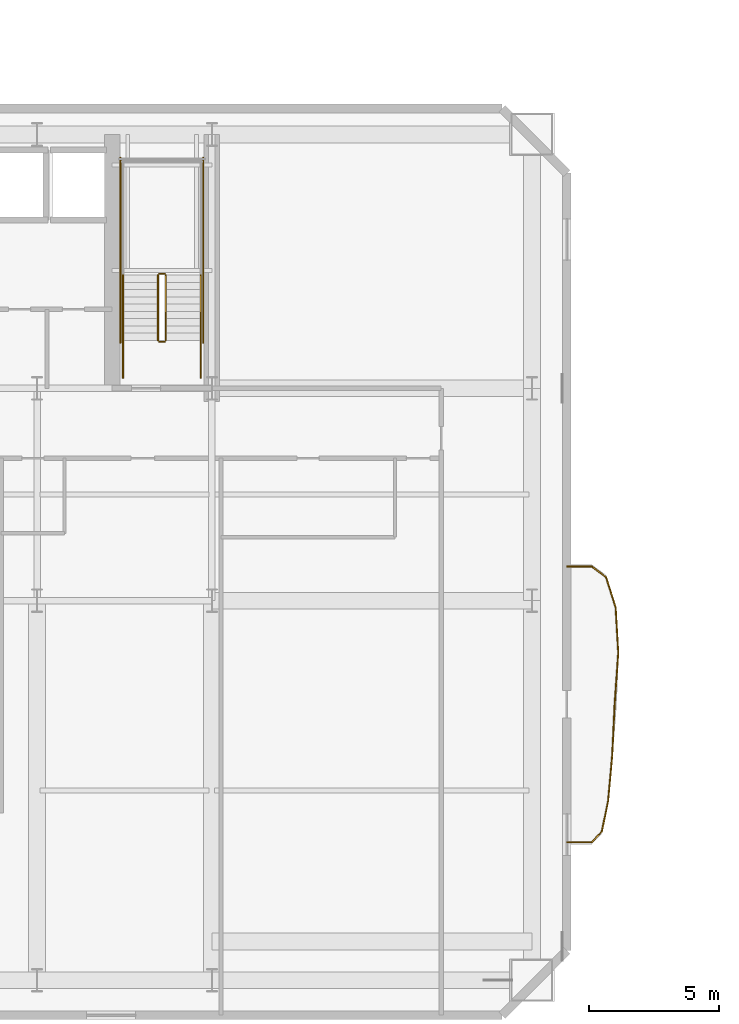
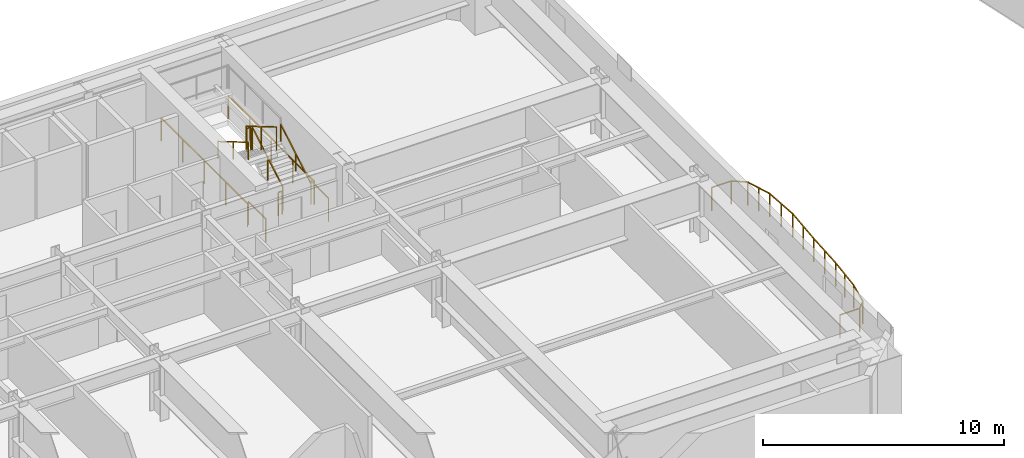
# One storey, part 14 of 18: 20 railings.
"""IFC4 building model written with IfcOpenShell, lengths in metres."""

from ifc_helpers import new_model, si_unit, direction, frame, origin, origin_2d, place, context, subcontext, project, spatial, rectangle, extrude, material, type_object, element, save


model = new_model("IFC4")

# Units and contexts
model_context = context("Model", 3, precision=1e-05, world=origin(), true_north=direction((0.0, 1.0)))
body_context = subcontext(model_context, "Body", "Model", "MODEL_VIEW")
ifc_project = project(units=[si_unit("LENGTHUNIT", "METRE"), si_unit("AREAUNIT", "SQUARE_METRE"), si_unit("VOLUMEUNIT", "CUBIC_METRE"), si_unit("PLANEANGLEUNIT", "RADIAN"), si_unit("MASSUNIT", "GRAM", prefix="KILO")], contexts=[model_context])

# Site, building, storey
site_placement = place(None, origin())
site = spatial("IfcSite", under=ifc_project, at=site_placement, CompositionType="ELEMENT")
building_placement = place(site_placement, origin())
building = spatial("IfcBuilding", under=site, at=building_placement, Name="Haevon Station Towers", CompositionType="ELEMENT")
storey_placement = place(building_placement, frame((0.0, 0.0, 47.10009765625)))
storey = spatial("IfcBuildingStorey", under=building, at=storey_placement, Name="L11", CompositionType="ELEMENT", Elevation=47.10009765625)

# Railings
ifc_material = material(Name="Steel S355", Category="steel")
railing_type_1 = type_object("IfcRailingType", Name="GRD-EXT1200", PredefinedType="GUARDRAIL", material=ifc_material)
railing_1_placement = place(storey_placement, frame((64.723388671875, 20.677978515625, 0.0)))
element("IfcRailing", 1, at=railing_1_placement, inside=storey, type_object=railing_type_1, Name="L11 Perimeter Guardrail 1", PredefinedType="GUARDRAIL", context=body_context, shape_type="SweptSolid", body=[
    extrude(rectangle(XDim=0.048095703125, YDim=0.048095703125, at=origin_2d()), frame((0.0, 0.0, 1.17578125), z_axis=(0.999997857851, 0.002069853263, 0.0), x_axis=(-0.002069853263, 0.999997857851, 0.0)), (0.0, 0.0, 1.0), 0.943603515625),
    extrude(rectangle(XDim=0.0419921875, YDim=0.0419921875, at=origin_2d()), origin(), (0.0, 0.0, 1.0), 1.15185546875),
    extrude(rectangle(XDim=0.0419921875, YDim=0.0419921875, at=origin_2d()), frame((0.943603515625, 0.001953125, 0.0)), (0.0, 0.0, 1.0), 1.15185546875),
])
railing_2_placement = place(storey_placement, frame((65.6669921875, 20.679931640625, 0.0)))
element("IfcRailing", 2, at=railing_2_placement, inside=storey, type_object=railing_type_1, Name="L11 Perimeter Guardrail 2", PredefinedType="GUARDRAIL", context=body_context, shape_type="SweptSolid", body=[
    extrude(rectangle(XDim=0.048095703125, YDim=0.048095703125, at=origin_2d()), frame((0.0, 0.0, 1.17578125), z_axis=(0.683306289544, 0.730131847456, 0.0), x_axis=(-0.730131847456, 0.683306289544, 0.0)), (0.0, 0.0, 1.0), 0.56298828125),
    extrude(rectangle(XDim=0.0419921875, YDim=0.0419921875, at=origin_2d()), origin(), (0.0, 0.0, 1.0), 1.15185546875),
    extrude(rectangle(XDim=0.0419921875, YDim=0.0419921875, at=origin_2d()), frame((0.384765625, 0.4111328125, 0.0)), (0.0, 0.0, 1.0), 1.15185546875),
])
railing_3_placement = place(storey_placement, frame((66.0517578125, 21.091064453125, 0.0)))
element("IfcRailing", 3, at=railing_3_placement, inside=storey, type_object=railing_type_1, Name="L11 Perimeter Guardrail 3", PredefinedType="GUARDRAIL", context=body_context, shape_type="SweptSolid", body=[
    extrude(rectangle(XDim=0.048095703125, YDim=0.048095703125, at=origin_2d()), frame((0.0, 0.0, 1.17578125), z_axis=(0.201497232752, 0.979489083754, 0.0), x_axis=(-0.979489083754, 0.201497232752, 0.0)), (0.0, 0.0, 1.0), 1.194580078125),
    extrude(rectangle(XDim=0.0419921875, YDim=0.0419921875, at=origin_2d()), origin(), (0.0, 0.0, 1.0), 1.15185546875),
    extrude(rectangle(XDim=0.0419921875, YDim=0.0419921875, at=origin_2d()), frame((0.24072265625, 1.170166015625, 0.0)), (0.0, 0.0, 1.0), 1.15185546875),
])
railing_4_placement = place(storey_placement, frame((66.29248046875, 22.26123046875, 0.0)))
element("IfcRailing", 4, at=railing_4_placement, inside=storey, type_object=railing_type_1, Name="L11 Perimeter Guardrail 4", PredefinedType="GUARDRAIL", context=body_context, shape_type="SweptSolid", body=[
    extrude(rectangle(XDim=0.048095703125, YDim=0.048095703125, at=origin_2d()), frame((0.0, 0.0, 1.17578125), z_axis=(0.090310252801, 0.995913680114, 0.0), x_axis=(-0.995913680114, 0.090310252801, 0.0)), (0.0, 0.0, 1.0), 1.757080078125),
    extrude(rectangle(XDim=0.0419921875, YDim=0.0419921875, at=origin_2d()), origin(), (0.0, 0.0, 1.0), 1.15185546875),
    extrude(rectangle(XDim=0.0419921875, YDim=0.0419921875, at=origin_2d()), frame((0.079345703125, 0.875, 0.0)), (0.0, 0.0, 1.0), 1.15185546875),
    extrude(rectangle(XDim=0.0419921875, YDim=0.0419921875, at=origin_2d()), frame((0.15869140625, 1.75, 0.0)), (0.0, 0.0, 1.0), 1.15185546875),
])
railing_5_placement = place(storey_placement, frame((66.451171875, 24.01123046875, 0.0)))
element("IfcRailing", 5, at=railing_5_placement, inside=storey, type_object=railing_type_1, Name="L11 Perimeter Guardrail 5", PredefinedType="GUARDRAIL", context=body_context, shape_type="SweptSolid", body=[
    extrude(rectangle(XDim=0.048095703125, YDim=0.048095703125, at=origin_2d()), frame((0.0, 0.0, 1.17578125), z_axis=(0.047454457012, 0.998873402644, 0.0), x_axis=(-0.998873402644, 0.047454457012, 0.0)), (0.0, 0.0, 1.0), 1.990966796875),
    extrude(rectangle(XDim=0.0419921875, YDim=0.0419921875, at=origin_2d()), origin(), (0.0, 0.0, 1.0), 1.15185546875),
    extrude(rectangle(XDim=0.0419921875, YDim=0.0419921875, at=origin_2d()), frame((0.04736328125, 0.994384765625, 0.0)), (0.0, 0.0, 1.0), 1.15185546875),
    extrude(rectangle(XDim=0.0419921875, YDim=0.0419921875, at=origin_2d()), frame((0.094482421875, 1.98876953125, 0.0)), (0.0, 0.0, 1.0), 1.15185546875),
])
railing_6_placement = place(storey_placement, frame((66.545654296875, 26.0, 0.0)))
element("IfcRailing", 6, at=railing_6_placement, inside=storey, type_object=railing_type_1, Name="L11 Perimeter Guardrail 6", PredefinedType="GUARDRAIL", context=body_context, shape_type="SweptSolid", body=[
    extrude(rectangle(XDim=0.048095703125, YDim=0.048095703125, at=origin_2d()), frame((0.0, 0.0, 1.17578125), z_axis=(0.069960576388, 0.99754975703, 0.0), x_axis=(-0.99754975703, 0.069960576388, 0.0)), (0.0, 0.0, 1.0), 1.99609375),
    extrude(rectangle(XDim=0.0419921875, YDim=0.0419921875, at=origin_2d()), origin(), (0.0, 0.0, 1.0), 1.15185546875),
    extrude(rectangle(XDim=0.0419921875, YDim=0.0419921875, at=origin_2d()), frame((0.06982421875, 0.99560546875, 0.0)), (0.0, 0.0, 1.0), 1.15185546875),
    extrude(rectangle(XDim=0.0419921875, YDim=0.0419921875, at=origin_2d()), frame((0.1396484375, 1.9912109375, 0.0)), (0.0, 0.0, 1.0), 1.15185546875),
])
railing_7_placement = place(storey_placement, frame((66.685302734375, 27.9912109375, 0.0)))
element("IfcRailing", 7, at=railing_7_placement, inside=storey, type_object=railing_type_1, Name="L11 Perimeter Guardrail 7", PredefinedType="GUARDRAIL", context=body_context, shape_type="SweptSolid", body=[
    extrude(rectangle(XDim=0.048095703125, YDim=0.048095703125, at=origin_2d()), frame((0.0, 0.0, 1.17578125), z_axis=(-0.057716779897, 0.99833299721, 0.0), x_axis=(-0.99833299721, -0.057716779897, 0.0)), (0.0, 0.0, 1.0), 1.751220703125),
    extrude(rectangle(XDim=0.0419921875, YDim=0.0419921875, at=origin_2d()), origin(), (0.0, 0.0, 1.0), 1.15185546875),
    extrude(rectangle(XDim=0.0419921875, YDim=0.0419921875, at=origin_2d()), frame((-0.050537109375, 0.8740234375, 0.0)), (0.0, 0.0, 1.0), 1.15185546875),
    extrude(rectangle(XDim=0.0419921875, YDim=0.0419921875, at=origin_2d()), frame((-0.10107421875, 1.748291015625, 0.0)), (0.0, 0.0, 1.0), 1.15185546875),
])
railing_8_placement = place(storey_placement, frame((66.584228515625, 29.739501953125, 0.0)))
element("IfcRailing", 8, at=railing_8_placement, inside=storey, type_object=railing_type_1, Name="L11 Perimeter Guardrail 8", PredefinedType="GUARDRAIL", context=body_context, shape_type="SweptSolid", body=[
    extrude(rectangle(XDim=0.048095703125, YDim=0.048095703125, at=origin_2d()), frame((0.0, 0.0, 1.17578125), z_axis=(-0.303187234273, 0.952931005359, 0.0), x_axis=(-0.952931005359, -0.303187234273, 0.0)), (0.0, 0.0, 1.0), 1.227294921875),
    extrude(rectangle(XDim=0.0419921875, YDim=0.0419921875, at=origin_2d()), origin(), (0.0, 0.0, 1.0), 1.15185546875),
    extrude(rectangle(XDim=0.0419921875, YDim=0.0419921875, at=origin_2d()), frame((-0.18603515625, 0.584716796875, 0.0)), (0.0, 0.0, 1.0), 1.15185546875),
    extrude(rectangle(XDim=0.0419921875, YDim=0.0419921875, at=origin_2d()), frame((-0.3720703125, 1.16943359375, 0.0)), (0.0, 0.0, 1.0), 1.15185546875),
])
railing_9_placement = place(storey_placement, frame((66.212158203125, 30.908935546875, 0.0)))
element("IfcRailing", 9, at=railing_9_placement, inside=storey, type_object=railing_type_1, Name="L11 Perimeter Guardrail 9", PredefinedType="GUARDRAIL", context=body_context, shape_type="SweptSolid", body=[
    extrude(rectangle(XDim=0.048095703125, YDim=0.048095703125, at=origin_2d()), frame((0.0, 0.0, 1.17578125), z_axis=(-0.798409676693, 0.602114597201, 0.0), x_axis=(-0.602114597201, -0.798409676693, 0.0)), (0.0, 0.0, 1.0), 0.682861328125),
    extrude(rectangle(XDim=0.0419921875, YDim=0.0419921875, at=origin_2d()), origin(), (0.0, 0.0, 1.0), 1.15185546875),
    extrude(rectangle(XDim=0.0419921875, YDim=0.0419921875, at=origin_2d()), frame((-0.545166015625, 0.4111328125, 0.0)), (0.0, 0.0, 1.0), 1.15185546875),
])
railing_10_placement = place(storey_placement, frame((65.6669921875, 31.320068359375, 0.0)))
element("IfcRailing", 10, at=railing_10_placement, inside=storey, type_object=railing_type_1, Name="L11 Perimeter Guardrail 10", PredefinedType="GUARDRAIL", context=body_context, shape_type="SweptSolid", body=[
    extrude(rectangle(XDim=0.048095703125, YDim=0.048095703125, at=origin_2d()), frame((0.0, 0.0, 1.17578125), z_axis=(-0.999997857851, 0.002069853263, 0.0), x_axis=(-0.002069853263, -0.999997857851, 0.0)), (0.0, 0.0, 1.0), 0.943603515625),
    extrude(rectangle(XDim=0.0419921875, YDim=0.0419921875, at=origin_2d()), origin(), (0.0, 0.0, 1.0), 1.15185546875),
    extrude(rectangle(XDim=0.0419921875, YDim=0.0419921875, at=origin_2d()), frame((-0.943603515625, 0.001953125, 0.0)), (0.0, 0.0, 1.0), 1.15185546875),
])
railing_type_2 = type_object("IfcRailingType", Name="GRD-STR1200", PredefinedType="GUARDRAIL", material=ifc_material)
railing_11_placement = place(storey_placement, frame((49.219970703125, 40.050048828125, 0.164794921875)))
element("IfcRailing", 11, at=railing_11_placement, inside=storey, type_object=railing_type_2, Name="L11 ST2 Stair Guard 1", PredefinedType="GUARDRAIL", context=body_context, shape_type="SweptSolid", body=[
    extrude(rectangle(XDim=0.048095703125, YDim=0.048095703125, at=origin_2d()), frame((0.0, 0.0, 1.17578125), z_axis=(0.0, 0.86152411907, 0.507716645641), x_axis=(-1.0, 0.0, 0.0)), (0.0, 0.0, 1.0), 2.925048828125),
    extrude(rectangle(XDim=0.0419921875, YDim=0.0419921875, at=origin_2d()), origin(), (0.0, 0.0, 1.0), 1.15185546875),
    extrude(rectangle(XDim=0.0419921875, YDim=0.0419921875, at=origin_2d()), frame((0.0, 1.260009765625, 0.74267578125)), (0.0, 0.0, 1.0), 1.15185546875),
    extrude(rectangle(XDim=0.0419921875, YDim=0.0419921875, at=origin_2d()), frame((0.0, 2.52001953125, 1.485107421875)), (0.0, 0.0, 1.0), 1.15185546875),
])
railing_12_placement = place(storey_placement, frame((49.169921875, 42.6201171875, 1.64990234375)))
element("IfcRailing", 12, at=railing_12_placement, inside=storey, type_object=railing_type_2, Name="L11 ST2 Stair Guard 2", PredefinedType="GUARDRAIL", context=body_context, shape_type="SweptSolid", body=[
    extrude(rectangle(XDim=0.048095703125, YDim=0.048095703125, at=origin_2d()), frame((0.0, 0.0, 1.17578125), z_axis=(-1.0, 0.0, 0.0), x_axis=(0.0, -1.0, 0.0)), (0.0, 0.0, 1.0), 0.199951171875),
    extrude(rectangle(XDim=0.0419921875, YDim=0.0419921875, at=origin_2d()), origin(), (0.0, 0.0, 1.0), 1.15185546875),
    extrude(rectangle(XDim=0.0419921875, YDim=0.0419921875, at=origin_2d()), frame((-0.199951171875, 0.0, 0.0)), (0.0, 0.0, 1.0), 1.15185546875),
])
railing_13_placement = place(storey_placement, frame((48.919921875, 42.570068359375, 1.81494140625)))
element("IfcRailing", 13, at=railing_13_placement, inside=storey, type_object=railing_type_2, Name="L11 ST2 Stair Guard 6", PredefinedType="GUARDRAIL", context=body_context, shape_type="SweptSolid", body=[
    extrude(rectangle(XDim=0.048095703125, YDim=0.048095703125, at=origin_2d()), frame((0.0, 0.0, 1.17578125), z_axis=(0.0, -0.861560626758, 0.507654692109), x_axis=(1.0, 0.0, 0.0)), (0.0, 0.0, 1.0), 2.925048828125),
    extrude(rectangle(XDim=0.0419921875, YDim=0.0419921875, at=origin_2d()), origin(), (0.0, 0.0, 1.0), 1.15185546875),
    extrude(rectangle(XDim=0.0419921875, YDim=0.0419921875, at=origin_2d()), frame((0.0, -1.260009765625, 0.742431640625)), (0.0, 0.0, 1.0), 1.15185546875),
    extrude(rectangle(XDim=0.0419921875, YDim=0.0419921875, at=origin_2d()), frame((0.0, -2.52001953125, 1.48486328125)), (0.0, 0.0, 1.0), 1.15185546875),
])
railing_14_placement = place(storey_placement, frame((49.169921875, 40.0, 0.0)))
element("IfcRailing", 14, at=railing_14_placement, inside=storey, type_object=railing_type_2, Name="L11 ST2 Stair Guard 7", PredefinedType="GUARDRAIL", context=body_context, shape_type="SweptSolid", body=[
    extrude(rectangle(XDim=0.048095703125, YDim=0.048095703125, at=origin_2d()), frame((0.0, 0.0, 1.17578125), z_axis=(-1.0, 0.0, 0.0), x_axis=(0.0, -1.0, 0.0)), (0.0, 0.0, 1.0), 0.199951171875),
    extrude(rectangle(XDim=0.0419921875, YDim=0.0419921875, at=origin_2d()), origin(), (0.0, 0.0, 1.0), 1.15185546875),
    extrude(rectangle(XDim=0.0419921875, YDim=0.0419921875, at=origin_2d()), frame((-0.199951171875, 0.0, 0.0)), (0.0, 0.0, 1.0), 1.15185546875),
])
for number, where, name in (
    (15, (50.570068359375, 38.60009765625, 0.0), "L11 ST2 Stair Guard 8"),
    (16, (47.570068359375, 38.60009765625, 0.0), "L11 ST2 Stair Guard 9"),
):
    element("IfcRailing", number, at=place(storey_placement, frame(where)), inside=storey, type_object=railing_type_2, Name=name, PredefinedType="GUARDRAIL", context=body_context, shape_type="SweptSolid", body=[
        extrude(rectangle(XDim=0.048095703125, YDim=0.048095703125, at=origin_2d()), frame((0.0, 0.0, 1.17578125), z_axis=(0.0, 1.0, 0.0), x_axis=(-1.0, 0.0, 0.0)), (0.0, 0.0, 1.0), 1.449951171875),
        extrude(rectangle(XDim=0.0419921875, YDim=0.0419921875, at=origin_2d()), origin(), (0.0, 0.0, 1.0), 1.15185546875),
        extrude(rectangle(XDim=0.0419921875, YDim=0.0419921875, at=origin_2d()), frame((0.0, 1.449951171875, 0.0)), (0.0, 0.0, 1.0), 1.15185546875),
    ])
for number, where, name in (
    (17, (50.669921875, 39.949951171875, 0.0), "L11 ST2 Stair Guard 10"),
    (18, (47.469970703125, 39.949951171875, 0.0), "L11 ST2 Stair Guard 11"),
):
    element("IfcRailing", number, at=place(storey_placement, frame(where)), inside=storey, type_object=railing_type_2, Name=name, PredefinedType="GUARDRAIL", context=body_context, shape_type="SweptSolid", body=[
        extrude(rectangle(XDim=0.048095703125, YDim=0.048095703125, at=origin_2d()), frame((0.0, 0.0, 1.17578125), z_axis=(0.0, 1.0, 0.0), x_axis=(-1.0, 0.0, 0.0)), (0.0, 0.0, 1.0), 7.150146484375),
        extrude(rectangle(XDim=0.0419921875, YDim=0.0419921875, at=origin_2d()), origin(), (0.0, 0.0, 1.0), 1.15185546875),
        extrude(rectangle(XDim=0.0419921875, YDim=0.0419921875, at=origin_2d()), frame((0.0, 1.78759765625, 0.0)), (0.0, 0.0, 1.0), 1.15185546875),
        extrude(rectangle(XDim=0.0419921875, YDim=0.0419921875, at=origin_2d()), frame((0.0, 3.5751953125, 0.0)), (0.0, 0.0, 1.0), 1.15185546875),
        extrude(rectangle(XDim=0.0419921875, YDim=0.0419921875, at=origin_2d()), frame((0.0, 5.362548828125, 0.0)), (0.0, 0.0, 1.0), 1.15185546875),
        extrude(rectangle(XDim=0.0419921875, YDim=0.0419921875, at=origin_2d()), frame((0.0, 7.150146484375, 0.0)), (0.0, 0.0, 1.0), 1.15185546875),
    ])
railing_type_3 = type_object("IfcRailingType", Name="HND-STR900", PredefinedType="HANDRAIL", material=ifc_material)
railing_15_placement = place(storey_placement, frame((50.570068359375, 40.050048828125, 0.164794921875)))
element("IfcRailing", 19, at=railing_15_placement, inside=storey, type_object=railing_type_3, Name="L11 ST2 Stair Handrail 1", PredefinedType="HANDRAIL", context=body_context, shape_type="SweptSolid", body=[
    extrude(rectangle(XDim=0.048095703125, YDim=0.048095703125, at=origin_2d()), frame((0.0, 0.0, 0.8759765625), z_axis=(0.0, 0.86152411907, 0.507716645641), x_axis=(-1.0, 0.0, 0.0)), (0.0, 0.0, 1.0), 2.925048828125),
    extrude(rectangle(XDim=0.0419921875, YDim=0.0419921875, at=origin_2d()), origin(), (0.0, 0.0, 1.0), 0.851806640625),
    extrude(rectangle(XDim=0.0419921875, YDim=0.0419921875, at=origin_2d()), frame((0.0, 1.260009765625, 0.74267578125)), (0.0, 0.0, 1.0), 0.851806640625),
    extrude(rectangle(XDim=0.0419921875, YDim=0.0419921875, at=origin_2d()), frame((0.0, 2.52001953125, 1.485107421875)), (0.0, 0.0, 1.0), 0.851806640625),
])
railing_16_placement = place(storey_placement, frame((47.570068359375, 42.570068359375, 1.81494140625)))
element("IfcRailing", 20, at=railing_16_placement, inside=storey, type_object=railing_type_3, Name="L11 ST2 Stair Handrail 2", PredefinedType="HANDRAIL", context=body_context, shape_type="SweptSolid", body=[
    extrude(rectangle(XDim=0.048095703125, YDim=0.048095703125, at=origin_2d()), frame((0.0, 0.0, 0.8759765625), z_axis=(0.0, -0.861560626758, 0.507654692109), x_axis=(1.0, 0.0, 0.0)), (0.0, 0.0, 1.0), 2.925048828125),
    extrude(rectangle(XDim=0.0419921875, YDim=0.0419921875, at=origin_2d()), origin(), (0.0, 0.0, 1.0), 0.851806640625),
    extrude(rectangle(XDim=0.0419921875, YDim=0.0419921875, at=origin_2d()), frame((0.0, -1.260009765625, 0.742431640625)), (0.0, 0.0, 1.0), 0.851806640625),
    extrude(rectangle(XDim=0.0419921875, YDim=0.0419921875, at=origin_2d()), frame((0.0, -2.52001953125, 1.48486328125)), (0.0, 0.0, 1.0), 0.851806640625),
])

save(model, "model.ifc")
